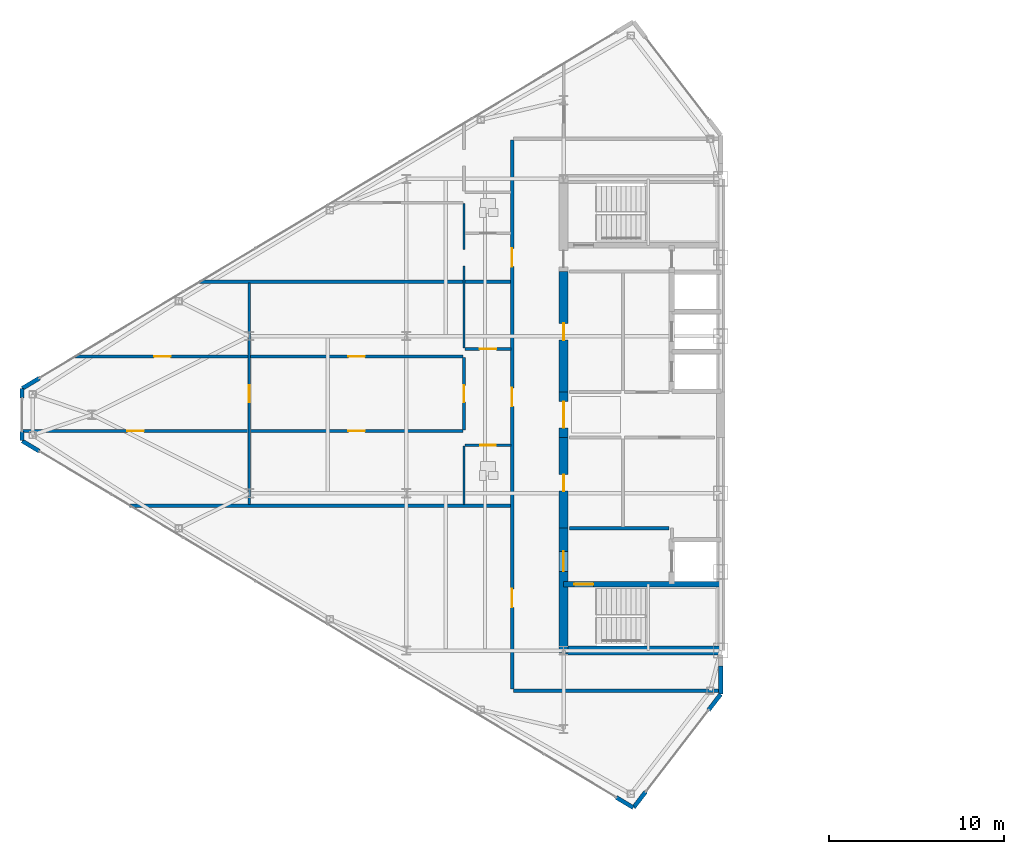
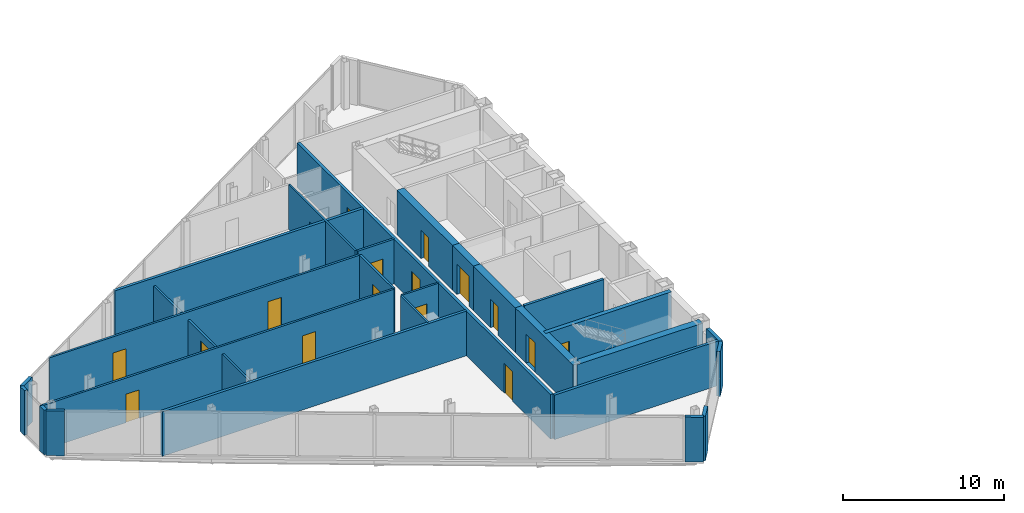
# One storey, part 19 of 25: 27 walls, 16 doors, 17 openings.
"""IFC4 building model written with IfcOpenShell, lengths in metres."""

from ifc_helpers import new_model, si_unit, direction, frame, frame_2d, origin, place, context, subcontext, project, spatial, rectangle, extrude, source, transform, mapped, material, layer, layer_set, type_object, type_shapes, element, fill, save


model = new_model("IFC4")

# Units and contexts
model_context = context("Model", 3, precision=1e-05, world=origin(), true_north=direction((0.0, 1.0)))
body_context = subcontext(model_context, "Body", "Model", "MODEL_VIEW")
ifc_project = project(units=[si_unit("LENGTHUNIT", "METRE"), si_unit("AREAUNIT", "SQUARE_METRE"), si_unit("VOLUMEUNIT", "CUBIC_METRE"), si_unit("PLANEANGLEUNIT", "RADIAN"), si_unit("MASSUNIT", "GRAM", prefix="KILO")], contexts=[model_context])

# Site, building, storey
site_placement = place(None, origin())
site = spatial("IfcSite", under=ifc_project, at=site_placement, CompositionType="ELEMENT")
building_placement = place(site_placement, origin())
building = spatial("IfcBuilding", under=site, at=building_placement, Name="Seokmaru Belvedere", CompositionType="ELEMENT")
storey_placement = place(building_placement, frame((0.0, 0.0, 213.89990234375)))
storey = spatial("IfcBuildingStorey", under=building, at=storey_placement, Name="L57", CompositionType="ELEMENT", Elevation=213.89990234375)

# Wall, openings, doors
ifc_material_1 = material(Name="Fire-Rated Gypsum Shaftwall")
ifc_layer_1 = layer(ifc_material_1, 0.14990234375)
ifc_layer_set_1 = layer_set([ifc_layer_1], Name="Fire-Rated Gypsum Shaftwall")
wall_type_1 = type_object("IfcWallType", Name="Apartment Fire-Acoustic Room Partition 150", PredefinedType="PARTITIONING", material=ifc_layer_set_1)
wall_1_placement = place(storey_placement, frame((-67.534912109375, -0.929931640625, 0.0), z_axis=(0.0, 0.0, 1.0), x_axis=(1.0, 0.0, 0.0)))
wall_1 = element("IfcWall", 1, at=wall_1_placement, inside=storey, type_object=wall_type_1, Name="L57 Interior Partition 008", PredefinedType="PARTITIONING", context=body_context, shape_type="SweptSolid", body=[
    extrude(rectangle(XDim=25.284912109375, YDim=0.14990234375, at=frame_2d((12.642578125, 0.0))), origin(), (0.0, 0.0, 1.0), 3.380126953125),
])
opening_1_placement = place(wall_1_placement, frame((18.7099609375, 0.0, 0.0)))
opening_1 = element("IfcOpeningElement", 2, at=opening_1_placement, cuts=wall_1, Name="Opening D05", PredefinedType="OPENING", context=body_context, shape_type="SweptSolid", body=[
    extrude(rectangle(XDim=0.949951171875, YDim=2.14990234375, at=frame_2d((0.47509765625, 1.074951171875))), frame((0.0, 0.0849609375, 0.0), z_axis=(0.0, -1.0, 0.0), x_axis=(1.0, 0.0, 0.0)), (0.0, 0.0, 1.0), 0.169921875),
])
opening_2_placement = place(wall_1_placement, frame((6.06005859375, 0.0, 0.0)))
opening_2 = element("IfcOpeningElement", 3, at=opening_2_placement, cuts=wall_1, Name="Opening D05", PredefinedType="OPENING", context=body_context, shape_type="SweptSolid", body=[
    extrude(rectangle(XDim=0.949951171875, YDim=2.14990234375, at=frame_2d((0.47509765625, 1.074951171875))), frame((0.0, 0.0849609375, 0.0), z_axis=(0.0, -1.0, 0.0), x_axis=(1.0, 0.0, 0.0)), (0.0, 0.0, 1.0), 0.169921875),
])
ifc_material_2 = material(Name="Engineered White Oak Timber", Category="wood")
door_type_1 = type_object("IfcDoorType", Name="Apartment Interior Fire-Rated Oak Door 950x2150", OperationType="NOTDEFINED", PredefinedType="DOOR", material=ifc_material_2)
shared_shape_1 = source(origin(), body_context, "Body", "SweptSolid", [
    extrude(rectangle(XDim=0.949951171875, YDim=2.14990234375, at=frame_2d((0.47509765625, 1.074951171875))), frame((0.0, 0.02490234375, 0.0), z_axis=(0.0, -1.0, 0.0), x_axis=(1.0, 0.0, 0.0)), (0.0, 0.0, 1.0), 0.050048828125),
])
type_shapes(door_type_1, [shared_shape_1])
door_1_placement = place(opening_1_placement, origin())
door_1 = element("IfcDoor", 4, at=door_1_placement, inside=storey, type_object=door_type_1, Name="L57 Interior Door 007", OperationType="SINGLE_SWING_LEFT", OverallHeight=2.14990234375, OverallWidth=0.949951171875, PredefinedType="DOOR", context=body_context, shape_type="MappedRepresentation", body=[
    mapped(shared_shape_1, transform((0.0, 0.0, 0.0), scale=1.0)),
])
fill(opening_1, door_1)
door_2_placement = place(opening_2_placement, origin())
door_2 = element("IfcDoor", 5, at=door_2_placement, inside=storey, type_object=door_type_1, Name="L57 Interior Door 009", OperationType="SINGLE_SWING_RIGHT", OverallHeight=2.14990234375, OverallWidth=0.949951171875, PredefinedType="DOOR", context=body_context, shape_type="MappedRepresentation", body=[
    mapped(shared_shape_1, transform((0.0, 0.0, 0.0), scale=1.0)),
])
fill(opening_2, door_2)

wall_2_placement = place(storey_placement, frame((-64.47998046875, 3.330078125, 0.0), z_axis=(0.0, 0.0, 1.0), x_axis=(1.0, 0.0, 0.0)))
wall_2 = element("IfcWall", 6, at=wall_2_placement, inside=storey, type_object=wall_type_1, Name="L57 Interior Partition 011", PredefinedType="PARTITIONING", context=body_context, shape_type="SweptSolid", body=[
    extrude(rectangle(XDim=22.22998046875, YDim=0.14990234375, at=frame_2d((11.114990234375, 0.0))), origin(), (0.0, 0.0, 1.0), 3.380126953125),
])
opening_3_placement = place(wall_2_placement, frame((15.655029296875, 0.0, 0.0)))
opening_3 = element("IfcOpeningElement", 7, at=opening_3_placement, cuts=wall_2, Name="Opening D05", PredefinedType="OPENING", context=body_context, shape_type="SweptSolid", body=[
    extrude(rectangle(XDim=0.949951171875, YDim=2.14990234375, at=frame_2d((0.47509765625, 1.074951171875))), frame((0.0, 0.0849609375, 0.0), z_axis=(0.0, -1.0, 0.0), x_axis=(1.0, 0.0, 0.0)), (0.0, 0.0, 1.0), 0.169921875),
])
opening_4_placement = place(wall_2_placement, frame((4.53271484375, 0.0, 0.0)))
opening_4 = element("IfcOpeningElement", 8, at=opening_4_placement, cuts=wall_2, Name="Opening D05", PredefinedType="OPENING", context=body_context, shape_type="SweptSolid", body=[
    extrude(rectangle(XDim=0.949951171875, YDim=2.14990234375, at=frame_2d((0.47509765625, 1.074951171875))), frame((0.0, 0.0849609375, 0.0), z_axis=(0.0, -1.0, 0.0), x_axis=(1.0, 0.0, 0.0)), (0.0, 0.0, 1.0), 0.169921875),
])
door_3_placement = place(opening_3_placement, origin())
door_3 = element("IfcDoor", 9, at=door_3_placement, inside=storey, type_object=door_type_1, Name="L57 Interior Door 008", OperationType="SINGLE_SWING_RIGHT", OverallHeight=2.14990234375, OverallWidth=0.949951171875, PredefinedType="DOOR", context=body_context, shape_type="MappedRepresentation", body=[
    mapped(shared_shape_1, transform((0.0, 0.0, 0.0), scale=1.0)),
])
fill(opening_3, door_3)
door_4_placement = place(opening_4_placement, origin())
door_4 = element("IfcDoor", 10, at=door_4_placement, inside=storey, type_object=door_type_1, Name="L57 Interior Door 010", OperationType="SINGLE_SWING_RIGHT", OverallHeight=2.14990234375, OverallWidth=0.949951171875, PredefinedType="DOOR", context=body_context, shape_type="MappedRepresentation", body=[
    mapped(shared_shape_1, transform((0.0, 0.0, 0.0), scale=1.0)),
])
fill(opening_4, door_4)

# Wall, opening, door
wall_3_placement = place(storey_placement, frame((-42.14990234375, 3.760009765625, 0.0), z_axis=(0.0, 0.0, 1.0), x_axis=(1.0, 0.0, 0.0)))
wall_3 = element("IfcWall", 11, at=wall_3_placement, inside=storey, type_object=wall_type_1, Name="L57 Interior Partition 012", PredefinedType="PARTITIONING", context=body_context, shape_type="SweptSolid", body=[
    extrude(rectangle(XDim=2.64990234375, YDim=0.14990234375, at=frame_2d((1.324951171875, 0.0))), origin(), (0.0, 0.0, 1.0), 3.380126953125),
])
opening_5_placement = place(wall_3_placement, frame((0.85009765625, 0.0, 0.0)))
opening_5 = element("IfcOpeningElement", 12, at=opening_5_placement, cuts=wall_3, Name="Opening D05", PredefinedType="OPENING", context=body_context, shape_type="SweptSolid", body=[
    extrude(rectangle(XDim=0.949951171875, YDim=2.14990234375, at=frame_2d((0.47509765625, 1.074951171875))), frame((0.0, 0.0849609375, 0.0), z_axis=(0.0, -1.0, 0.0), x_axis=(1.0, 0.0, 0.0)), (0.0, 0.0, 1.0), 0.169921875),
])
door_5_placement = place(opening_5_placement, origin())
door_5 = element("IfcDoor", 13, at=door_5_placement, inside=storey, type_object=door_type_1, Name="L57 Interior Door 004", OperationType="SINGLE_SWING_LEFT", OverallHeight=2.14990234375, OverallWidth=0.949951171875, PredefinedType="DOOR", context=body_context, shape_type="MappedRepresentation", body=[
    mapped(shared_shape_1, transform((0.0, 0.0, 0.0), scale=1.0)),
])
fill(opening_5, door_5)

wall_4_placement = place(storey_placement, frame((-54.5, -5.14990234375, 0.0), z_axis=(0.0, 0.0, 1.0), x_axis=(0.0, 1.0, 0.0)))
wall_4 = element("IfcWall", 14, at=wall_4_placement, inside=storey, type_object=wall_type_1, Name="L57 Interior Partition 020", PredefinedType="PARTITIONING", context=body_context, shape_type="SweptSolid", body=[
    extrude(rectangle(XDim=12.699951171875, YDim=0.14990234375, at=frame_2d((6.35009765625, 0.0))), origin(), (0.0, 0.0, 1.0), 2.780029296875),
])
opening_6_placement = place(wall_4_placement, frame((5.875, 0.0, 0.0)))
opening_6 = element("IfcOpeningElement", 15, at=opening_6_placement, cuts=wall_4, Name="Opening D05", PredefinedType="OPENING", context=body_context, shape_type="SweptSolid", body=[
    extrude(rectangle(XDim=0.949951171875, YDim=2.14990234375, at=frame_2d((0.47509765625, 1.074951171875))), frame((0.0, 0.0849609375, 0.0), z_axis=(0.0, -1.0, 0.0), x_axis=(1.0, 0.0, 0.0)), (0.0, 0.0, 1.0), 0.169921875),
])
door_6_placement = place(opening_6_placement, origin())
door_6 = element("IfcDoor", 16, at=door_6_placement, inside=storey, type_object=door_type_1, Name="L57 Interior Door 006", OperationType="SINGLE_SWING_LEFT", OverallHeight=2.14990234375, OverallWidth=0.949951171875, PredefinedType="DOOR", context=body_context, shape_type="MappedRepresentation", body=[
    mapped(shared_shape_1, transform((0.0, 0.0, 0.0), scale=1.0)),
])
fill(opening_6, door_6)

wall_5_placement = place(storey_placement, frame((-42.199951171875, -0.883056640625, 0.0), z_axis=(0.0, 0.0, 1.0), x_axis=(0.0, 1.0, 0.0)))
wall_5 = element("IfcWall", 17, at=wall_5_placement, inside=storey, type_object=wall_type_1, Name="L57 Interior Partition 022", PredefinedType="PARTITIONING", context=body_context, shape_type="SweptSolid", body=[
    extrude(rectangle(XDim=4.166015625, YDim=0.14990234375, at=frame_2d((2.0830078125, 0.0))), origin(), (0.0, 0.0, 1.0), 3.380126953125),
])
opening_7_placement = place(wall_5_placement, frame((1.60791015625, 0.0, 0.0)))
opening_7 = element("IfcOpeningElement", 18, at=opening_7_placement, cuts=wall_5, Name="Opening D05", PredefinedType="OPENING", context=body_context, shape_type="SweptSolid", body=[
    extrude(rectangle(XDim=0.949951171875, YDim=2.14990234375, at=frame_2d((0.47509765625, 1.074951171875))), frame((0.0, 0.0849609375, 0.0), z_axis=(0.0, -1.0, 0.0), x_axis=(1.0, 0.0, 0.0)), (0.0, 0.0, 1.0), 0.169921875),
])
door_7_placement = place(opening_7_placement, origin())
door_7 = element("IfcDoor", 19, at=door_7_placement, inside=storey, type_object=door_type_1, Name="L57 Interior Door 005", OperationType="SINGLE_SWING_RIGHT", OverallHeight=2.14990234375, OverallWidth=0.949951171875, PredefinedType="DOOR", context=body_context, shape_type="MappedRepresentation", body=[
    mapped(shared_shape_1, transform((0.0, 0.0, 0.0), scale=1.0)),
])
fill(opening_7, door_7)

# Walls
ifc_layer_2 = layer(ifc_material_1, 0.179931640625)
ifc_layer_set_2 = layer_set([ifc_layer_2], Name="Fire-Rated Gypsum Shaftwall")
wall_type_2 = type_object("IfcWallType", Name="Core Service Fire Partition 180", PredefinedType="PARTITIONING", material=ifc_layer_set_2)
wall_6_placement = place(storey_placement, frame((-36.14990234375, -6.5, 0.0), z_axis=(0.0, 0.0, 1.0), x_axis=(1.0, 0.0, 0.0)))
element("IfcWall", 20, at=wall_6_placement, inside=storey, type_object=wall_type_2, Name="L57 West Firefighting Lobby Partition", PredefinedType="PARTITIONING", context=body_context, shape_type="SweptSolid", body=[
    extrude(rectangle(XDim=5.699951171875, YDim=0.179931640625, at=frame_2d((2.85009765625, 0.0))), origin(), (0.0, 0.0, 1.0), 3.380126953125),
])
ifc_layer_3 = layer(ifc_material_1, 0.199951171875)
ifc_layer_set_3 = layer_set([ifc_layer_3], Name="Fire-Rated Gypsum Shaftwall")
wall_type_3 = type_object("IfcWallType", Name="Inter-Tenancy Fire Compartment Partition 200", PredefinedType="PARTITIONING", material=ifc_layer_set_3)
wall_7_placement = place(storey_placement, frame((-39.364990234375, -15.800048828125, 0.0), z_axis=(0.0, 0.0, 1.0), x_axis=(1.0, 0.0, 0.0)))
element("IfcWall", 21, at=wall_7_placement, inside=storey, type_object=wall_type_3, Name="L57 Interior Partition 001", PredefinedType="PARTITIONING", context=body_context, shape_type="SweptSolid", body=[
    extrude(rectangle(XDim=11.739990234375, YDim=0.199951171875, at=frame_2d((5.8701171875, 0.0))), origin(), (0.0, 0.0, 1.0), 3.380126953125),
])
wall_8_placement = place(storey_placement, frame((-61.343017578125, -5.199951171875, 0.0), z_axis=(0.0, 0.0, 1.0), x_axis=(1.0, 0.0, 0.0)))
element("IfcWall", 22, at=wall_8_placement, inside=storey, type_object=wall_type_3, Name="L57 Interior Partition 004", PredefinedType="PARTITIONING", context=body_context, shape_type="SweptSolid", body=[
    extrude(rectangle(XDim=21.81298828125, YDim=0.199951171875, at=frame_2d((10.906494140625, 0.0))), origin(), (0.0, 0.0, 1.0), 3.380126953125),
])
wall_9_placement = place(storey_placement, frame((-57.343017578125, 7.60009765625, 0.0), z_axis=(0.0, 0.0, 1.0), x_axis=(1.0, 0.0, 0.0)))
element("IfcWall", 23, at=wall_9_placement, inside=storey, type_object=wall_type_3, Name="L57 Interior Partition 014", PredefinedType="PARTITIONING", context=body_context, shape_type="SweptSolid", body=[
    extrude(rectangle(XDim=17.81298828125, YDim=0.199951171875, at=frame_2d((8.906494140625, 0.0))), origin(), (0.0, 0.0, 1.0), 3.380126953125),
])

# Wall, openings, doors
wall_10_placement = place(storey_placement, frame((-39.449951171875, -15.715087890625, 0.0), z_axis=(0.0, 0.0, 1.0), x_axis=(0.0, 1.0, 0.0)))
wall_10 = element("IfcWall", 24, at=wall_10_placement, inside=storey, type_object=wall_type_3, Name="L57 Interior Partition 025", PredefinedType="PARTITIONING", context=body_context, shape_type="SweptSolid", body=[
    extrude(rectangle(XDim=31.43017578125, YDim=0.199951171875, at=frame_2d((15.715087890625, 0.0))), origin(), (0.0, 0.0, 1.0), 3.380126953125),
])
opening_8_placement = place(wall_10_placement, frame((4.68994140625, 0.0, 0.0)))
opening_8 = element("IfcOpeningElement", 25, at=opening_8_placement, cuts=wall_10, Name="Opening D03", PredefinedType="OPENING", context=body_context, shape_type="SweptSolid", body=[
    extrude(rectangle(XDim=1.050048828125, YDim=2.25, at=frame_2d((0.52490234375, 1.125))), frame((0.0, 0.10986328125, 0.0), z_axis=(0.0, -1.0, 0.0), x_axis=(1.0, 0.0, 0.0)), (0.0, 0.0, 1.0), 0.219970703125),
])
opening_9_placement = place(wall_10_placement, frame((16.197998046875, 0.0, 0.0)))
opening_9 = element("IfcOpeningElement", 26, at=opening_9_placement, cuts=wall_10, Name="Opening D03", PredefinedType="OPENING", context=body_context, shape_type="SweptSolid", body=[
    extrude(rectangle(XDim=1.050048828125, YDim=2.25, at=frame_2d((0.52490234375, 1.125))), frame((0.0, 0.10986328125, 0.0), z_axis=(0.0, -1.0, 0.0), x_axis=(1.0, 0.0, 0.0)), (0.0, 0.0, 1.0), 0.219970703125),
])
opening_10_placement = place(wall_10_placement, frame((24.1875, 0.0, 0.0)))
opening_10 = element("IfcOpeningElement", 27, at=opening_10_placement, cuts=wall_10, Name="Opening D03", PredefinedType="OPENING", context=body_context, shape_type="SweptSolid", body=[
    extrude(rectangle(XDim=1.050048828125, YDim=2.25, at=frame_2d((0.52490234375, 1.125))), frame((0.0, 0.10986328125, 0.0), z_axis=(0.0, -1.0, 0.0), x_axis=(1.0, 0.0, 0.0)), (0.0, 0.0, 1.0), 0.219970703125),
])
ifc_material_3 = material(Name="Fire-Rated Steel Leaf", Category="steel")
door_type_2 = type_object("IfcDoorType", Name="Apartment Entrance Fire Door 1050x2250", OperationType="NOTDEFINED", PredefinedType="DOOR", material=ifc_material_3)
shared_shape_2 = source(origin(), body_context, "Body", "SweptSolid", [
    extrude(rectangle(XDim=1.050048828125, YDim=2.25, at=frame_2d((0.52490234375, 1.125))), frame((0.0, 0.02490234375, 0.0), z_axis=(0.0, -1.0, 0.0), x_axis=(1.0, 0.0, 0.0)), (0.0, 0.0, 1.0), 0.050048828125),
])
type_shapes(door_type_2, [shared_shape_2])
door_8_placement = place(opening_8_placement, origin())
door_8 = element("IfcDoor", 28, at=door_8_placement, inside=storey, type_object=door_type_2, Name="L57 Interior Door 001", OperationType="SINGLE_SWING_RIGHT", OverallHeight=2.25, OverallWidth=1.050048828125, PredefinedType="DOOR", context=body_context, shape_type="MappedRepresentation", body=[
    mapped(shared_shape_2, transform((0.0, 0.0, 0.0), scale=1.0)),
])
fill(opening_8, door_8)
door_9_placement = place(opening_9_placement, origin())
door_9 = element("IfcDoor", 29, at=door_9_placement, inside=storey, type_object=door_type_2, Name="L57 Interior Door 002", OperationType="SINGLE_SWING_LEFT", OverallHeight=2.25, OverallWidth=1.050048828125, PredefinedType="DOOR", context=body_context, shape_type="MappedRepresentation", body=[
    mapped(shared_shape_2, transform((0.0, 0.0, 0.0), scale=1.0)),
])
fill(opening_9, door_9)
door_10_placement = place(opening_10_placement, origin())
door_10 = element("IfcDoor", 30, at=door_10_placement, inside=storey, type_object=door_type_2, Name="L57 Interior Door 011", OperationType="SINGLE_SWING_RIGHT", OverallHeight=2.25, OverallWidth=1.050048828125, PredefinedType="DOOR", context=body_context, shape_type="MappedRepresentation", body=[
    mapped(shared_shape_2, transform((0.0, 0.0, 0.0), scale=1.0)),
])
fill(opening_10, door_10)

# Wall, opening, door
ifc_material_4 = material(Name="Concrete C50 (50 MPa)", Category="concrete")
ifc_layer_4 = layer(ifc_material_4, 0.300048828125)
ifc_layer_set_4 = layer_set([ifc_layer_4], Name="Concrete C50 (50 MPa)")
wall_type_4 = type_object("IfcWallType", Name="Internal Core Stair and Hoistway Wall 300", PredefinedType="SHEAR", material=ifc_layer_set_4)
wall_11_placement = place(storey_placement, frame((-36.5, -9.699951171875, 0.0), z_axis=(0.0, 0.0, 1.0), x_axis=(1.0, 0.0, 0.0)))
wall_11 = element("IfcWall", 31, at=wall_11_placement, inside=storey, type_object=wall_type_4, Name="L57 West Stair ST-1 Enclosure Wall", PredefinedType="SHEAR", context=body_context, shape_type="SweptSolid", body=[
    extrude(rectangle(XDim=9.0, YDim=0.300048828125, at=frame_2d((4.5, 0.0))), origin(), (0.0, 0.0, 1.0), 3.380126953125),
])
opening_11_placement = place(wall_11_placement, frame((0.60009765625, 0.0, 0.0)))
opening_11 = element("IfcOpeningElement", 32, at=opening_11_placement, cuts=wall_11, Name="Opening D01", PredefinedType="OPENING", context=body_context, shape_type="SweptSolid", body=[
    extrude(rectangle(XDim=1.10009765625, YDim=2.199951171875, at=frame_2d((0.550048828125, 1.10009765625))), frame((0.0, 0.16015625, 0.0), z_axis=(0.0, -1.0, 0.0), x_axis=(1.0, 0.0, 0.0)), (0.0, 0.0, 1.0), 0.320068359375),
])
door_type_3 = type_object("IfcDoorType", Name="Special Escape Stair Smokeproof Fire Door 1100x2200", OperationType="NOTDEFINED", PredefinedType="DOOR", material=ifc_material_3)
shared_shape_3 = source(origin(), body_context, "Body", "SweptSolid", [
    extrude(rectangle(XDim=1.10009765625, YDim=2.199951171875, at=frame_2d((0.550048828125, 1.10009765625))), frame((0.0, 0.02490234375, 0.0), z_axis=(0.0, -1.0, 0.0), x_axis=(1.0, 0.0, 0.0)), (0.0, 0.0, 1.0), 0.050048828125),
])
type_shapes(door_type_3, [shared_shape_3])
door_11_placement = place(opening_11_placement, frame((1.10009765625, 0.0, 0.0), z_axis=(0.0, 0.0, 1.0), x_axis=(-1.0, 0.0, 0.0)))
door_11 = element("IfcDoor", 33, at=door_11_placement, inside=storey, type_object=door_type_3, Name="L57 West Special Escape Stair ST-1 Door", OperationType="SINGLE_SWING_LEFT", OverallHeight=2.199951171875, OverallWidth=1.10009765625, PredefinedType="DOOR", context=body_context, shape_type="MappedRepresentation", body=[
    mapped(shared_shape_3, transform((0.0, 0.0, 0.0), scale=1.0)),
])
fill(opening_11, door_11)

ifc_layer_5 = layer(ifc_material_1, 0.1298828125)
ifc_layer_set_5 = layer_set([ifc_layer_5], Name="Fire-Rated Gypsum Shaftwall")
wall_type_5 = type_object("IfcWallType", Name="Moisture-Resistant Fire-Rated Bathroom Partition 130", PredefinedType="PARTITIONING", material=ifc_layer_set_5)
wall_12_placement = place(storey_placement, frame((-42.14990234375, -1.75, 0.0), z_axis=(0.0, 0.0, 1.0), x_axis=(1.0, 0.0, 0.0)))
wall_12 = element("IfcWall", 34, at=wall_12_placement, inside=storey, type_object=wall_type_5, Name="L57 Interior Partition 007", PredefinedType="PARTITIONING", context=body_context, shape_type="SweptSolid", body=[
    extrude(rectangle(XDim=2.64990234375, YDim=0.1298828125, at=frame_2d((1.324951171875, 0.0))), origin(), (0.0, 0.0, 1.0), 3.380126953125),
])
opening_12_placement = place(wall_12_placement, frame((0.885009765625, 0.0, 0.0)))
opening_12 = element("IfcOpeningElement", 35, at=opening_12_placement, cuts=wall_12, Name="Opening D06", PredefinedType="OPENING", context=body_context, shape_type="SweptSolid", body=[
    extrude(rectangle(XDim=0.8798828125, YDim=2.10009765625, at=frame_2d((0.43994140625, 1.050048828125))), frame((0.0, 0.074951171875, 0.0), z_axis=(0.0, -1.0, 0.0), x_axis=(1.0, 0.0, 0.0)), (0.0, 0.0, 1.0), 0.14990234375),
])
door_type_4 = type_object("IfcDoorType", Name="Bathroom and Restroom Fire-Rated Door 880x2100", OperationType="NOTDEFINED", PredefinedType="DOOR", material=ifc_material_2)
shared_shape_4 = source(origin(), body_context, "Body", "SweptSolid", [
    extrude(rectangle(XDim=0.8798828125, YDim=2.10009765625, at=frame_2d((0.43994140625, 1.050048828125))), frame((0.0, 0.02490234375, 0.0), z_axis=(0.0, -1.0, 0.0), x_axis=(1.0, 0.0, 0.0)), (0.0, 0.0, 1.0), 0.050048828125),
])
type_shapes(door_type_4, [shared_shape_4])
door_12_placement = place(opening_12_placement, origin())
door_12 = element("IfcDoor", 36, at=door_12_placement, inside=storey, type_object=door_type_4, Name="L57 Interior Door 003", OperationType="SINGLE_SWING_LEFT", OverallHeight=2.10009765625, OverallWidth=0.8798828125, PredefinedType="DOOR", context=body_context, shape_type="MappedRepresentation", body=[
    mapped(shared_shape_4, transform((0.0, 0.0, 0.0), scale=1.0)),
])
fill(opening_12, door_12)

# Wall
wall_13_placement = place(storey_placement, frame((-42.199951171875, -5.14990234375, 0.0), z_axis=(0.0, 0.0, 1.0), x_axis=(0.0, 1.0, 0.0)))
element("IfcWall", 37, at=wall_13_placement, inside=storey, type_object=wall_type_5, Name="L57 Interior Partition 021", PredefinedType="PARTITIONING", context=body_context, shape_type="SweptSolid", body=[
    extrude(rectangle(XDim=3.35400390625, YDim=0.1298828125, at=frame_2d((1.677001953125, 0.0))), origin(), (0.0, 0.0, 1.0), 3.380126953125),
])

# Wall, opening
wall_14_placement = place(storey_placement, frame((-42.199951171875, 3.81201171875, 0.0), z_axis=(0.0, 0.0, 1.0), x_axis=(0.0, 1.0, 0.0)))
wall_14 = element("IfcWall", 38, at=wall_14_placement, inside=storey, type_object=wall_type_5, Name="L57 Interior Partition 023", PredefinedType="PARTITIONING", context=body_context, shape_type="SweptSolid", body=[
    extrude(rectangle(XDim=8.278076171875, YDim=0.1298828125, at=frame_2d((4.13916015625, 0.0))), origin(), (0.0, 0.0, 1.0), 3.380126953125),
])
opening_13_placement = place(wall_14_placement, frame((4.71044921875, 0.0, 0.0)))
element("IfcOpeningElement", 39, at=opening_13_placement, cuts=wall_14, Name="L57 Cased Opening 013", PredefinedType="OPENING", context=body_context, shape_type="SweptSolid", body=[
    extrude(rectangle(XDim=0.949951171875, YDim=2.14990234375, at=frame_2d((0.47509765625, 1.074951171875))), frame((0.0, 0.074951171875, 0.0), z_axis=(0.0, -1.0, 0.0), x_axis=(1.0, 0.0, 0.0)), (0.0, 0.0, 1.0), 0.14990234375),
])

# Walls
ifc_material_5 = material(Name="Anodised Bronze Aluminium", Category="aluminium")
ifc_layer_6 = layer(ifc_material_5, 0.239990234375)
ifc_layer_set_6 = layer_set([ifc_layer_6], Name="Anodised Bronze Aluminium")
wall_type_6 = type_object("IfcWallType", Name="Tower Corner Spandrel Closure Wall 240", PredefinedType="SOLIDWALL", material=ifc_layer_set_6)
wall_15_placement = place(storey_placement, frame((-27.5, -15.97998046875, 0.0), z_axis=(0.0, 0.0, 1.0), x_axis=(0.0, 1.0, 0.0)))
element("IfcWall", 40, at=wall_15_placement, inside=storey, type_object=wall_type_6, Name="L57 W Shoulder Closure Wall 1", PredefinedType="SOLIDWALL", context=body_context, shape_type="SweptSolid", body=[
    extrude(rectangle(XDim=1.605224609375, YDim=0.239990234375, at=frame_2d((0.802734375, 0.0))), origin(), (0.0, 0.0, 1.0), 3.380126953125),
])
wall_16_placement = place(storey_placement, frame((-66.513916015625, 2.091796875, 0.0), z_axis=(0.0, 0.0, 1.0), x_axis=(-0.85743623509, -0.514590228002, 0.0)))
element("IfcWall", 41, at=wall_16_placement, inside=storey, type_object=wall_type_6, Name="L57 W Corner Closure Pier 3B", PredefinedType="SOLIDWALL", context=body_context, shape_type="SweptSolid", body=[
    extrude(rectangle(XDim=1.14013671875, YDim=0.239990234375, at=frame_2d((0.570068359375, 0.0))), origin(), (0.0, 0.0, 1.0), 3.380126953125),
])
for number, where, z_axis, x_axis, name in (
    (42, (-67.5, 1.489990234375, 0.0), (0.0, 0.0, 1.0), (0.0, -1.0, 0.0), "L57 W Apex Closure Pier 4A"),
    (43, (-67.5, -0.949951171875, 0.0), (0.0, 0.0, 1.0), (0.0, -1.0, 0.0), "L57 W Apex Closure Pier 4B"),
):
    element("IfcWall", number, at=place(storey_placement, frame(where, z_axis=z_axis, x_axis=x_axis)), inside=storey, type_object=wall_type_6, Name=name, PredefinedType="SOLIDWALL", context=body_context, shape_type="SweptSolid", body=[
        extrude(rectangle(XDim=0.5400390625, YDim=0.239990234375, at=frame_2d((0.27001953125, 0.0))), origin(), (0.0, 0.0, 1.0), 3.380126953125),
    ])
for number, where, z_axis, x_axis, name in (
    (44, (-67.491455078125, -1.505126953125, 0.0), (0.0, 0.0, 1.0), (0.85743623509, -0.514590228002, 0.0), "L57 W Corner Closure Pier 5A"),
    (45, (-33.486083984375, -21.908203125, 0.0), (0.0, 0.0, 1.0), (0.85743623509, -0.514590228002, 0.0), "L57 W Corner Closure Pier 5B"),
    (46, (-32.493896484375, -22.4921875, 0.0), (0.0, 0.0, 1.0), (0.609617623633, 0.792695624408, 0.0), "L57 W Corner Closure Pier 6A"),
    (47, (-28.201171875, -16.91162109375, 0.0), (0.0, 0.0, 1.0), (0.609617623633, 0.792695624408, 0.0), "L57 W Corner Closure Pier 6B"),
):
    element("IfcWall", number, at=place(storey_placement, frame(where, z_axis=z_axis, x_axis=x_axis)), inside=storey, type_object=wall_type_6, Name=name, PredefinedType="SOLIDWALL", context=body_context, shape_type="SweptSolid", body=[
        extrude(rectangle(XDim=1.14013671875, YDim=0.239990234375, at=frame_2d((0.570068359375, 0.0))), origin(), (0.0, 0.0, 1.0), 3.380126953125),
    ])
ifc_layer_7 = layer(ifc_material_4, 0.5)
ifc_layer_set_7 = layer_set([ifc_layer_7], Name="Concrete C50 (50 MPa)")
wall_type_7 = type_object("IfcWallType", Name="Upper Tower Reinforced Concrete Core Wall 500", PredefinedType="SHEAR", material=ifc_layer_set_7)
wall_17_placement = place(storey_placement, frame((-36.5, -13.5, 0.0), z_axis=(0.0, 0.0, 1.0), x_axis=(1.0, 0.0, 0.0)))
element("IfcWall", 48, at=wall_17_placement, inside=storey, type_object=wall_type_7, Name="L57 West South Core Wall", PredefinedType="SHEAR", context=body_context, shape_type="SweptSolid", body=[
    extrude(rectangle(XDim=9.0, YDim=0.5, at=frame_2d((4.5, 0.0))), origin(), (0.0, 0.0, 1.0), 3.380126953125),
])

# Wall, opening, door
wall_18_placement = place(storey_placement, frame((-36.5, -13.64990234375, 0.0), z_axis=(0.0, 0.0, 1.0), x_axis=(0.0, 1.0, 0.0)))
wall_18 = element("IfcWall", 49, at=wall_18_placement, inside=storey, type_object=wall_type_7, Name="L57 West West Core Wall FF", PredefinedType="SHEAR", context=body_context, shape_type="SweptSolid", body=[
    extrude(rectangle(XDim=7.14990234375, YDim=0.5, at=frame_2d((3.574951171875, 0.0))), origin(), (0.0, 0.0, 1.0), 3.380126953125),
])
opening_14_placement = place(wall_18_placement, frame((4.675048828125, 0.0, 0.0)))
opening_14 = element("IfcOpeningElement", 50, at=opening_14_placement, cuts=wall_18, Name="Opening D02", PredefinedType="OPENING", context=body_context, shape_type="SweptSolid", body=[
    extrude(rectangle(XDim=1.14990234375, YDim=2.199951171875, at=frame_2d((0.574951171875, 1.10009765625))), frame((0.0, 0.260009765625, 0.0), z_axis=(0.0, -1.0, 0.0), x_axis=(1.0, 0.0, 0.0)), (0.0, 0.0, 1.0), 0.52001953125),
])
door_type_5 = type_object("IfcDoorType", Name="Lobby and Vestibule Fire Door 1150x2200", OperationType="NOTDEFINED", PredefinedType="DOOR", material=ifc_material_3)
shared_shape_5 = source(origin(), body_context, "Body", "SweptSolid", [
    extrude(rectangle(XDim=1.14990234375, YDim=2.199951171875, at=frame_2d((0.574951171875, 1.10009765625))), frame((0.0, 0.02490234375, 0.0), z_axis=(0.0, -1.0, 0.0), x_axis=(1.0, 0.0, 0.0)), (0.0, 0.0, 1.0), 0.050048828125),
])
type_shapes(door_type_5, [shared_shape_5])
door_13_placement = place(opening_14_placement, frame((1.14990234375, 0.0, 0.0), z_axis=(0.0, 0.0, 1.0), x_axis=(-1.0, 0.0, 0.0)))
door_13 = element("IfcDoor", 51, at=door_13_placement, inside=storey, type_object=door_type_5, Name="L57 West Firefighting Lobby Door", OperationType="SINGLE_SWING_LEFT", OverallHeight=2.199951171875, OverallWidth=1.14990234375, PredefinedType="DOOR", context=body_context, shape_type="MappedRepresentation", body=[
    mapped(shared_shape_5, transform((0.0, 0.0, 0.0), scale=1.0)),
])
fill(opening_14, door_13)

wall_19_placement = place(storey_placement, frame((-36.5, -1.300048828125, 0.0), z_axis=(0.0, 0.0, 1.0), x_axis=(0.0, 1.0, 0.0)))
wall_19 = element("IfcWall", 52, at=wall_19_placement, inside=storey, type_object=wall_type_7, Name="L57 West West Core Wall FOY", PredefinedType="SHEAR", context=body_context, shape_type="SweptSolid", body=[
    extrude(rectangle(XDim=2.60009765625, YDim=0.5, at=frame_2d((1.300048828125, 0.0))), origin(), (0.0, 0.0, 1.0), 3.380126953125),
])
opening_15_placement = place(wall_19_placement, frame((0.550048828125, 0.0, 0.0)))
opening_15 = element("IfcOpeningElement", 53, at=opening_15_placement, cuts=wall_19, Name="Opening D08", PredefinedType="OPENING", context=body_context, shape_type="SweptSolid", body=[
    extrude(rectangle(XDim=1.5, YDim=2.300048828125, at=frame_2d((0.75, 1.14990234375))), frame((0.0, 0.260009765625, 0.0), z_axis=(0.0, -1.0, 0.0), x_axis=(1.0, 0.0, 0.0)), (0.0, 0.0, 1.0), 0.52001953125),
])
door_type_6 = type_object("IfcDoorType", Name="Cross-Corridor Compartment Double Fire Door 1500x2300", OperationType="DOUBLE_SWING_LEFT", PredefinedType="DOOR", material=ifc_material_3)
shared_shape_6 = source(origin(), body_context, "Body", "SweptSolid", [
    extrude(rectangle(XDim=1.5, YDim=2.300048828125, at=frame_2d((0.75, 1.14990234375))), frame((0.0, 0.02490234375, 0.0), z_axis=(0.0, -1.0, 0.0), x_axis=(1.0, 0.0, 0.0)), (0.0, 0.0, 1.0), 0.050048828125),
])
type_shapes(door_type_6, [shared_shape_6])
door_14_placement = place(opening_15_placement, origin())
door_14 = element("IfcDoor", 54, at=door_14_placement, inside=storey, type_object=door_type_6, Name="L57 West Core Foyer Compartment Door", OperationType="DOUBLE_SWING_LEFT", OverallHeight=2.300048828125, OverallWidth=1.5, PredefinedType="DOOR", context=body_context, shape_type="MappedRepresentation", body=[
    mapped(shared_shape_6, transform((0.0, 0.0, 0.0), scale=1.0)),
])
fill(opening_15, door_14)

wall_20_placement = place(storey_placement, frame((-36.5, -6.5, 0.0), z_axis=(0.0, 0.0, 1.0), x_axis=(0.0, 1.0, 0.0)))
wall_20 = element("IfcWall", 55, at=wall_20_placement, inside=storey, type_object=wall_type_7, Name="L57 West West Core Wall CS1", PredefinedType="SHEAR", context=body_context, shape_type="SweptSolid", body=[
    extrude(rectangle(XDim=5.199951171875, YDim=0.5, at=frame_2d((2.60009765625, 0.0))), origin(), (0.0, 0.0, 1.0), 3.380126953125),
])
opening_16_placement = place(wall_20_placement, frame((2.125, 0.0, 0.0)))
opening_16 = element("IfcOpeningElement", 56, at=opening_16_placement, cuts=wall_20, Name="Opening D04", PredefinedType="OPENING", context=body_context, shape_type="SweptSolid", body=[
    extrude(rectangle(XDim=0.949951171875, YDim=2.14990234375, at=frame_2d((0.47509765625, 1.074951171875))), frame((0.0, 0.260009765625, 0.0), z_axis=(0.0, -1.0, 0.0), x_axis=(1.0, 0.0, 0.0)), (0.0, 0.0, 1.0), 0.52001953125),
])
door_type_7 = type_object("IfcDoorType", Name="Core Service Room Fire Door 950x2150", OperationType="NOTDEFINED", PredefinedType="DOOR", material=ifc_material_3)
shared_shape_7 = source(origin(), body_context, "Body", "SweptSolid", [
    extrude(rectangle(XDim=0.949951171875, YDim=2.14990234375, at=frame_2d((0.47509765625, 1.074951171875))), frame((0.0, 0.02490234375, 0.0), z_axis=(0.0, -1.0, 0.0), x_axis=(1.0, 0.0, 0.0)), (0.0, 0.0, 1.0), 0.050048828125),
])
type_shapes(door_type_7, [shared_shape_7])
door_15_placement = place(opening_16_placement, origin())
door_15 = element("IfcDoor", 57, at=door_15_placement, inside=storey, type_object=door_type_7, Name="L57 West Core Service Room Door 1", OperationType="SINGLE_SWING_LEFT", OverallHeight=2.14990234375, OverallWidth=0.949951171875, PredefinedType="DOOR", context=body_context, shape_type="MappedRepresentation", body=[
    mapped(shared_shape_7, transform((0.0, 0.0, 0.0), scale=1.0)),
])
fill(opening_16, door_15)

wall_21_placement = place(storey_placement, frame((-36.5, 1.300048828125, 0.0), z_axis=(0.0, 0.0, 1.0), x_axis=(0.0, 1.0, 0.0)))
wall_21 = element("IfcWall", 58, at=wall_21_placement, inside=storey, type_object=wall_type_7, Name="L57 West West Core Wall CS2", PredefinedType="SHEAR", context=body_context, shape_type="SweptSolid", body=[
    extrude(rectangle(XDim=6.89990234375, YDim=0.5, at=frame_2d((3.449951171875, 0.0))), origin(), (0.0, 0.0, 1.0), 3.380126953125),
])
opening_17_placement = place(wall_21_placement, frame((2.97509765625, 0.0, 0.0)))
opening_17 = element("IfcOpeningElement", 59, at=opening_17_placement, cuts=wall_21, Name="Opening D04", PredefinedType="OPENING", context=body_context, shape_type="SweptSolid", body=[
    extrude(rectangle(XDim=0.949951171875, YDim=2.14990234375, at=frame_2d((0.47509765625, 1.074951171875))), frame((0.0, 0.260009765625, 0.0), z_axis=(0.0, -1.0, 0.0), x_axis=(1.0, 0.0, 0.0)), (0.0, 0.0, 1.0), 0.52001953125),
])
door_16_placement = place(opening_17_placement, origin())
door_16 = element("IfcDoor", 60, at=door_16_placement, inside=storey, type_object=door_type_7, Name="L57 West Core Service Room Door 2", OperationType="SINGLE_SWING_RIGHT", OverallHeight=2.14990234375, OverallWidth=0.949951171875, PredefinedType="DOOR", context=body_context, shape_type="MappedRepresentation", body=[
    mapped(shared_shape_7, transform((0.0, 0.0, 0.0), scale=1.0)),
])
fill(opening_17, door_16)

save(model, "model.ifc")
